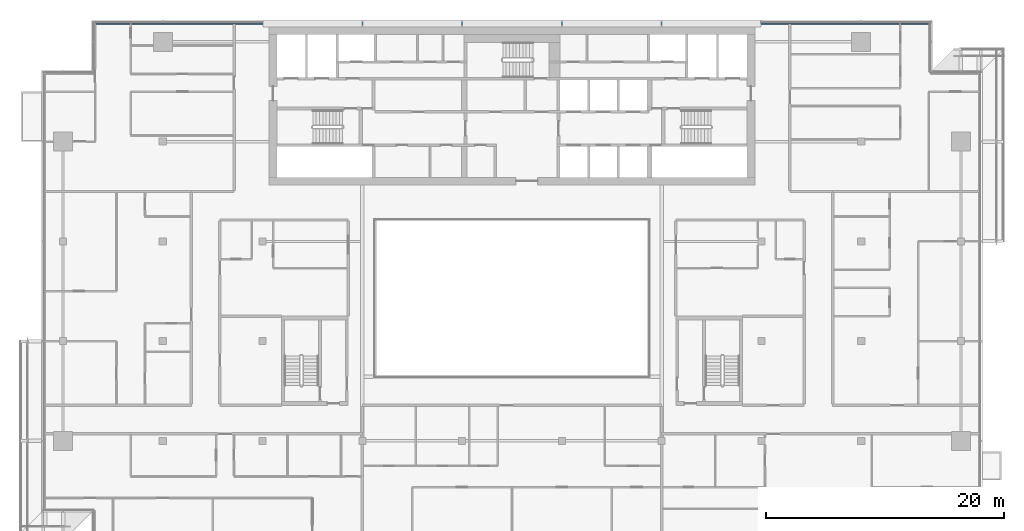
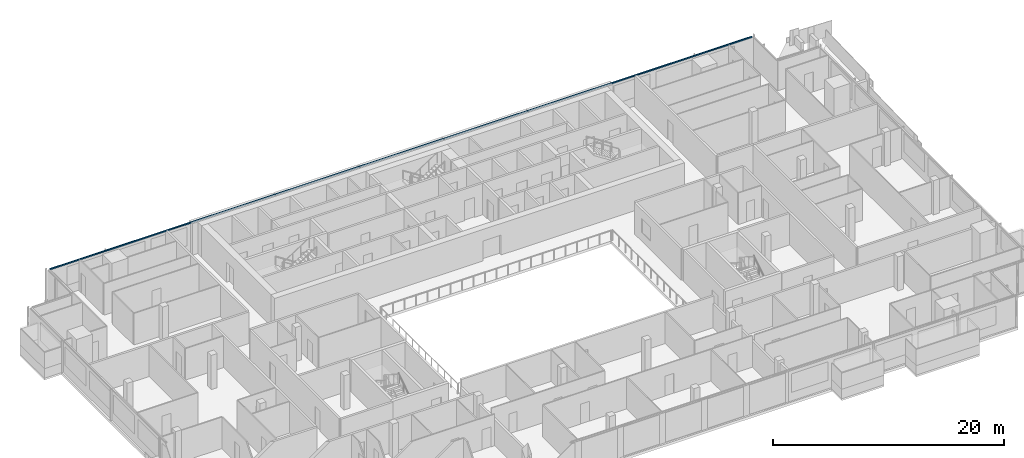
# One storey, part 9 of 30: 1 member, 1 element without a shape of its own.
"""IFC4 building model written with IfcOpenShell, lengths in metres."""

from ifc_helpers import new_model, si_unit, direction, frame, origin, origin_2d, place, context, subcontext, project, spatial, rectangle, extrude, material, material_profile, profile_set, type_object, element, aggregate, save


model = new_model("IFC4")

# Units and contexts
model_context = context("Model", 3, precision=1e-05, world=origin(), true_north=direction((0.0, 1.0)))
body_context = subcontext(model_context, "Body", "Model", "MODEL_VIEW")
ifc_project = project(units=[si_unit("LENGTHUNIT", "METRE"), si_unit("AREAUNIT", "SQUARE_METRE"), si_unit("VOLUMEUNIT", "CUBIC_METRE"), si_unit("PLANEANGLEUNIT", "RADIAN"), si_unit("MASSUNIT", "GRAM", prefix="KILO")], contexts=[model_context])

# Site, building, storey
site_placement = place(None, origin())
site = spatial("IfcSite", under=ifc_project, at=site_placement, CompositionType="ELEMENT")
building_placement = place(site_placement, origin())
building = spatial("IfcBuilding", under=site, at=building_placement, Name="Saffron Gate Tower", CompositionType="ELEMENT")
storey_placement = place(building_placement, frame((0.0, 0.0, 223.5)))
storey = spatial("IfcBuildingStorey", under=building, at=storey_placement, Name="L54", CompositionType="ELEMENT", Elevation=223.5)

# Curtain wall, member
ifc_material = material(Name="Aluminium, bronze anodised", Category="aluminium")
curtain_wall_type = type_object("IfcCurtainWallType", Name="CWS3 curtain wall rear facade", PredefinedType="NOTDEFINED", material=ifc_material)
curtain_wall_placement = place(storey_placement, origin())
curtain_wall = element("IfcCurtainWall", 1, at=curtain_wall_placement, inside=storey, type_object=curtain_wall_type, Name="CWS3 run 7", PredefinedType="NOTDEFINED")
ifc_material_profile = material_profile(ifc_material, rectangle(XDim=0.1201171875, YDim=0.1201171875, at=origin_2d()))
ifc_profile_set = profile_set([ifc_material_profile], Name="Aluminium, bronze anodised")
member_type = type_object("IfcMemberType", Name="CWS3 head transom", PredefinedType="USERDEFINED", material=ifc_profile_set)
member_placement = place(storey_placement, frame((122.632080078125, 75.35205078125, 3.260009765625), z_axis=(-1.0, 0.0, 0.0), x_axis=(0.0, -1.0, 0.0)))
member = element("IfcMember", 2, at=member_placement, type_object=member_type, Name="CWS3 head transom", ObjectType="TRANSOM", PredefinedType="USERDEFINED", context=body_context, shape_type="SweptSolid", body=[
    extrude(rectangle(XDim=0.1201171875, YDim=0.1201171875, at=origin_2d()), origin(), (0.0, 0.0, 1.0), 70.06396484375),
])
aggregate(curtain_wall, [member])

save(model, "model.ifc")
